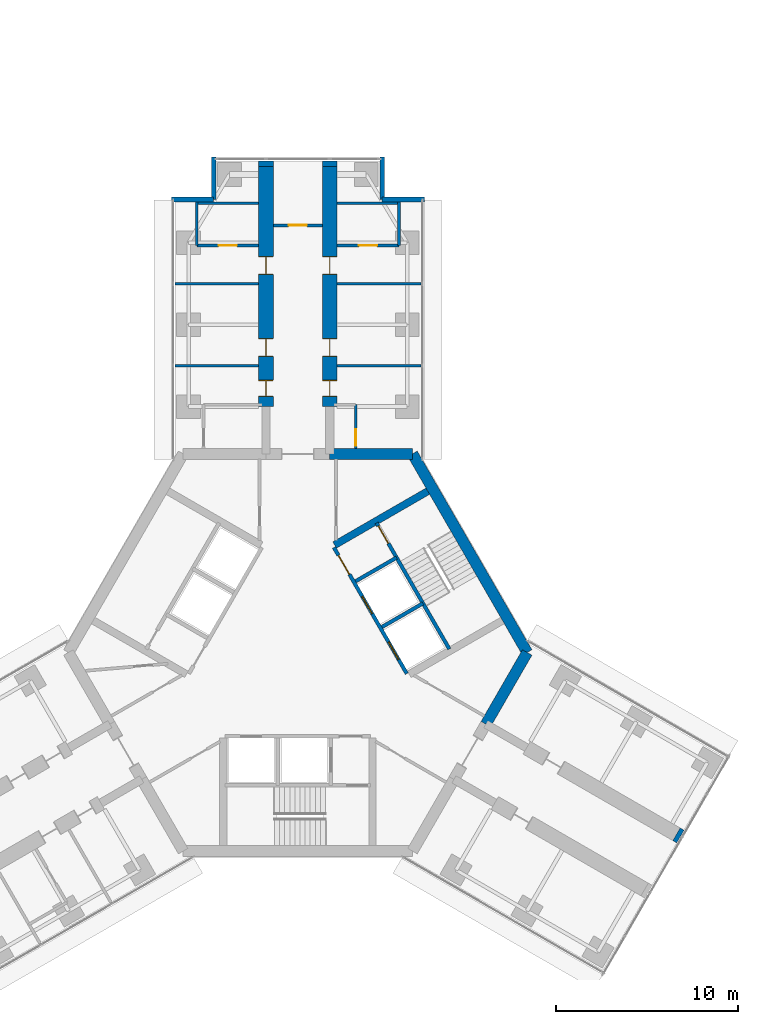
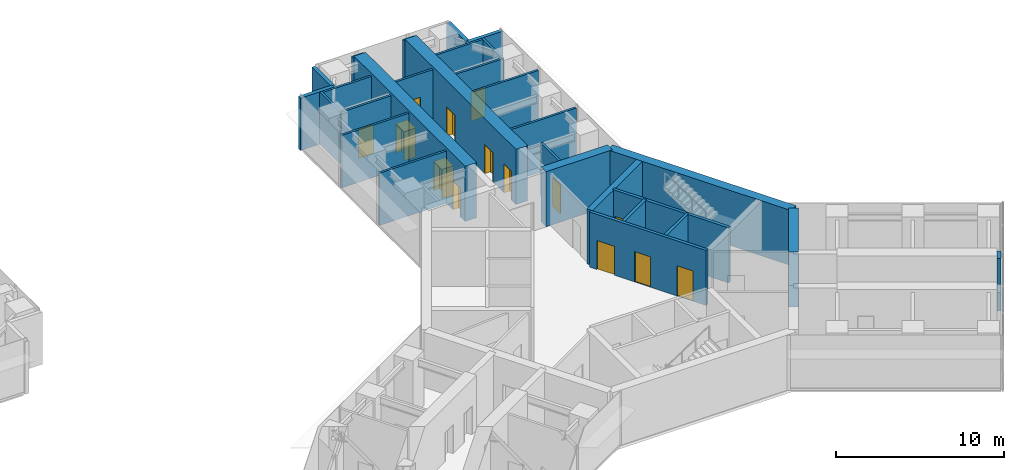
# One storey, part 20 of 22: 29 walls, 14 doors, 14 openings.
"""IFC4 building model written with IfcOpenShell, lengths in metres."""

from ifc_helpers import new_model, si_unit, direction, frame, frame_2d, origin, place, context, subcontext, project, spatial, rectangle, extrude, material, layer, layer_set, type_object, element, fill, save


model = new_model("IFC4")

# Units and contexts
model_context = context("Model", 3, precision=1e-05, world=origin(), true_north=direction((0.0, 1.0)))
body_context = subcontext(model_context, "Body", "Model", "MODEL_VIEW")
ifc_project = project(units=[si_unit("LENGTHUNIT", "METRE"), si_unit("AREAUNIT", "SQUARE_METRE"), si_unit("VOLUMEUNIT", "CUBIC_METRE"), si_unit("PLANEANGLEUNIT", "RADIAN"), si_unit("MASSUNIT", "GRAM", prefix="KILO")], contexts=[model_context])

# Site, building, storey
site_placement = place(None, origin())
site = spatial("IfcSite", under=ifc_project, at=site_placement, CompositionType="ELEMENT")
building_placement = place(site_placement, origin())
building = spatial("IfcBuilding", under=site, at=building_placement, Name="Upepo Twin Towers", CompositionType="ELEMENT")
storey_placement = place(building_placement, frame((0.0, 0.0, 137.5)))
storey = spatial("IfcBuildingStorey", under=building, at=storey_placement, Name="L33", CompositionType="ELEMENT", Elevation=137.5)

# Walls
ifc_material_1 = material(Name="Dense concrete blockwork", Category="masonry")
ifc_layer_1 = layer(ifc_material_1, 0.800048828125)
ifc_layer_set_1 = layer_set([ifc_layer_1], Name="Buttress closer 800, blockwork with fire-stopping to the curtain wall")
wall_type_1 = type_object("IfcWallType", Name="Buttress closer 800, blockwork with fire-stopping to the curtain wall", PredefinedType="PARTITIONING", material=ifc_layer_set_1)
for number, where, z_axis, x_axis, name in (
    (1, (56.75, 8.699951171875, 0.0), (0.0, 0.0, 1.0), (0.0, 1.0, 0.0), "T2 L33 wing A buttress closer L"),
    (2, (60.25, 8.699951171875, 0.0), (0.0, 0.0, 1.0), (0.0, 1.0, 0.0), "T2 L33 wing A buttress closer R"),
):
    element("IfcWall", number, at=place(storey_placement, frame(where, z_axis=z_axis, x_axis=x_axis)), inside=storey, type_object=wall_type_1, Name=name, PredefinedType="PARTITIONING", context=body_context, shape_type="SweptSolid", body=[
        extrude(rectangle(XDim=0.300048828125, YDim=0.800048828125, at=frame_2d((0.14990234375, 0.0))), origin(), (0.0, 0.0, 1.0), 3.800048828125),
    ])
wall_1_placement = place(storey_placement, frame((79.293701171875, -27.984375, 0.0), z_axis=(0.0, 0.0, 1.0), x_axis=(0.865827443207, -0.500342721131, 0.0)))
element("IfcWall", 3, at=wall_1_placement, inside=storey, type_object=wall_type_1, Name="T2 L33 wing C buttress closer L", PredefinedType="PARTITIONING", context=body_context, shape_type="SweptSolid", body=[
    extrude(rectangle(XDim=0.249755859375, YDim=0.800048828125, at=frame_2d((0.125, 0.0))), origin(), (0.0, 0.0, 1.0), 3.800048828125),
])

# Wall, openings, doors
ifc_material_2 = material(Name="Concrete C60/75", Category="concrete")
ifc_layer_2 = layer(ifc_material_2, 0.800048828125)
ifc_layer_set_2 = layer_set([ifc_layer_2], Name="Concrete C60/75")
wall_type_2 = type_object("IfcWallType", Name="Buttress wall 800 RC", PredefinedType="SHEAR", material=ifc_layer_set_2)
wall_2_placement = place(storey_placement, frame((56.75, -4.5, 0.0), z_axis=(0.0, 0.0, 1.0), x_axis=(0.0, 1.0, 0.0)))
wall_2 = element("IfcWall", 4, at=wall_2_placement, inside=storey, type_object=wall_type_2, Name="T2 wing A buttress wall L part 2", PredefinedType="SHEAR", context=body_context, shape_type="SweptSolid", body=[
    extrude(rectangle(XDim=13.199951171875, YDim=0.800048828125, at=frame_2d((6.60009765625, 0.0))), origin(), (0.0, 0.0, 1.0), 4.0),
])
opening_1_placement = place(wall_2_placement, frame((0.550048828125, 0.0, 0.0)))
opening_1 = element("IfcOpeningElement", 5, at=opening_1_placement, cuts=wall_2, Name="Opening D11", PredefinedType="OPENING", context=body_context, shape_type="SweptSolid", body=[
    extrude(rectangle(XDim=0.89990234375, YDim=2.10009765625, at=frame_2d((0.449951171875, 1.050048828125))), frame((0.0, 0.409912109375, 0.0), z_axis=(0.0, -1.0, 0.0), x_axis=(1.0, 0.0, 0.0)), (0.0, 0.0, 1.0), 0.820068359375),
])
opening_2_placement = place(wall_2_placement, frame((2.75, 0.0, 0.0)))
opening_2 = element("IfcOpeningElement", 6, at=opening_2_placement, cuts=wall_2, Name="Opening D1", PredefinedType="OPENING", context=body_context, shape_type="SweptSolid", body=[
    extrude(rectangle(XDim=1.0, YDim=2.10009765625, at=frame_2d((0.5, 1.050048828125))), frame((0.0, 0.409912109375, 0.0), z_axis=(0.0, -1.0, 0.0), x_axis=(1.0, 0.0, 0.0)), (0.0, 0.0, 1.0), 0.820068359375),
])
opening_3_placement = place(wall_2_placement, frame((7.25, 0.0, 0.0)))
opening_3 = element("IfcOpeningElement", 7, at=opening_3_placement, cuts=wall_2, Name="Opening D1", PredefinedType="OPENING", context=body_context, shape_type="SweptSolid", body=[
    extrude(rectangle(XDim=1.0, YDim=2.10009765625, at=frame_2d((0.5, 1.050048828125))), frame((0.0, 0.409912109375, 0.0), z_axis=(0.0, -1.0, 0.0), x_axis=(1.0, 0.0, 0.0)), (0.0, 0.0, 1.0), 0.820068359375),
])
ifc_material_3 = material(Name="Timber doorset", Category="wood")
door_type_1 = type_object("IfcDoorType", Name="Room door 1000 FD30", OperationType="SINGLE_SWING_LEFT", PredefinedType="DOOR", material=ifc_material_3)
door_1_placement = place(opening_2_placement, origin())
door_1 = element("IfcDoor", 8, at=door_1_placement, inside=storey, type_object=door_type_1, Name="T2 L33 tutorial room door", OperationType="SINGLE_SWING_LEFT", OverallHeight=2.10009765625, OverallWidth=1.0, PredefinedType="DOOR", context=body_context, shape_type="SweptSolid", body=[
    extrude(rectangle(XDim=0.92, YDim=2.06009765625, at=frame_2d((0.5, 1.030029296875))), frame((0.0, 0.02490234375, 0.0), z_axis=(0.0, -1.0, 0.0), x_axis=(1.0, 0.0, 0.0)), (0.0, 0.0, 1.0), 0.050048828125),
    extrude(rectangle(XDim=0.04, YDim=2.10009765625, at=frame_2d((0.02001953125, 1.050048828125))), frame((0.0, 0.39990234375, 0.0), z_axis=(0.0, -1.0, 0.0), x_axis=(1.0, 0.0, 0.0)), (0.0, 0.0, 1.0), 0.799560546875),
    extrude(rectangle(XDim=0.04, YDim=2.10009765625, at=frame_2d((0.97998046875, 1.050048828125))), frame((0.0, 0.39990234375, 0.0), z_axis=(0.0, -1.0, 0.0), x_axis=(1.0, 0.0, 0.0)), (0.0, 0.0, 1.0), 0.799560546875),
    extrude(rectangle(XDim=0.92, YDim=0.04, at=frame_2d((0.5, 2.080078125))), frame((0.0, 0.39990234375, 0.0), z_axis=(0.0, -1.0, 0.0), x_axis=(1.0, 0.0, 0.0)), (0.0, 0.0, 1.0), 0.799560546875),
])
fill(opening_2, door_1)
door_2_placement = place(opening_3_placement, origin())
door_2 = element("IfcDoor", 9, at=door_2_placement, inside=storey, type_object=door_type_1, Name="T2 L33 staff office door", OperationType="SINGLE_SWING_RIGHT", OverallHeight=2.10009765625, OverallWidth=1.0, PredefinedType="DOOR", context=body_context, shape_type="SweptSolid", body=[
    extrude(rectangle(XDim=0.92, YDim=2.06009765625, at=frame_2d((0.5, 1.030029296875))), frame((0.0, 0.02490234375, 0.0), z_axis=(0.0, -1.0, 0.0), x_axis=(1.0, 0.0, 0.0)), (0.0, 0.0, 1.0), 0.050048828125),
    extrude(rectangle(XDim=0.04, YDim=2.10009765625, at=frame_2d((0.02001953125, 1.050048828125))), frame((0.0, 0.39990234375, 0.0), z_axis=(0.0, -1.0, 0.0), x_axis=(1.0, 0.0, 0.0)), (0.0, 0.0, 1.0), 0.799560546875),
    extrude(rectangle(XDim=0.04, YDim=2.10009765625, at=frame_2d((0.97998046875, 1.050048828125))), frame((0.0, 0.39990234375, 0.0), z_axis=(0.0, -1.0, 0.0), x_axis=(1.0, 0.0, 0.0)), (0.0, 0.0, 1.0), 0.799560546875),
    extrude(rectangle(XDim=0.92, YDim=0.04, at=frame_2d((0.5, 2.080078125))), frame((0.0, 0.39990234375, 0.0), z_axis=(0.0, -1.0, 0.0), x_axis=(1.0, 0.0, 0.0)), (0.0, 0.0, 1.0), 0.799560546875),
])
fill(opening_3, door_2)
ifc_material_4 = material(Name="Timber doorset", Category="wood")
door_type_2 = type_object("IfcDoorType", Name="Toilet door 900", OperationType="SINGLE_SWING_LEFT", PredefinedType="DOOR", material=ifc_material_4)
door_3_placement = place(opening_1_placement, origin())
door_3 = element("IfcDoor", 10, at=door_3_placement, inside=storey, type_object=door_type_2, Name="T2 L33 accessible wc door", OperationType="SINGLE_SWING_LEFT", OverallHeight=2.10009765625, OverallWidth=0.89990234375, PredefinedType="DOOR", context=body_context, shape_type="SweptSolid", body=[
    extrude(rectangle(XDim=0.81990234375, YDim=2.06009765625, at=frame_2d((0.449951171875, 1.030029296875))), frame((0.0, 0.02490234375, 0.0), z_axis=(0.0, -1.0, 0.0), x_axis=(1.0, 0.0, 0.0)), (0.0, 0.0, 1.0), 0.050048828125),
    extrude(rectangle(XDim=0.04, YDim=2.10009765625, at=frame_2d((0.02001953125, 1.050048828125))), frame((0.0, 0.39990234375, 0.0), z_axis=(0.0, -1.0, 0.0), x_axis=(1.0, 0.0, 0.0)), (0.0, 0.0, 1.0), 0.799560546875),
    extrude(rectangle(XDim=0.04, YDim=2.10009765625, at=frame_2d((0.8798828125, 1.050048828125))), frame((0.0, 0.39990234375, 0.0), z_axis=(0.0, -1.0, 0.0), x_axis=(1.0, 0.0, 0.0)), (0.0, 0.0, 1.0), 0.799560546875),
    extrude(rectangle(XDim=0.81990234375, YDim=0.04, at=frame_2d((0.449951171875, 2.080078125))), frame((0.0, 0.39990234375, 0.0), z_axis=(0.0, -1.0, 0.0), x_axis=(1.0, 0.0, 0.0)), (0.0, 0.0, 1.0), 0.799560546875),
])
fill(opening_1, door_3)

wall_3_placement = place(storey_placement, frame((60.25, -4.5, 0.0), z_axis=(0.0, 0.0, 1.0), x_axis=(0.0, 1.0, 0.0)))
wall_3 = element("IfcWall", 11, at=wall_3_placement, inside=storey, type_object=wall_type_2, Name="T2 wing A buttress wall R part 2", PredefinedType="SHEAR", context=body_context, shape_type="SweptSolid", body=[
    extrude(rectangle(XDim=13.199951171875, YDim=0.800048828125, at=frame_2d((6.60009765625, 0.0))), origin(), (0.0, 0.0, 1.0), 4.0),
])
opening_4_placement = place(wall_3_placement, frame((0.550048828125, 0.0, 0.0)))
opening_4 = element("IfcOpeningElement", 12, at=opening_4_placement, cuts=wall_3, Name="Opening D11", PredefinedType="OPENING", context=body_context, shape_type="SweptSolid", body=[
    extrude(rectangle(XDim=0.89990234375, YDim=2.10009765625, at=frame_2d((0.449951171875, 1.050048828125))), frame((0.0, 0.409912109375, 0.0), z_axis=(0.0, -1.0, 0.0), x_axis=(1.0, 0.0, 0.0)), (0.0, 0.0, 1.0), 0.820068359375),
])
opening_5_placement = place(wall_3_placement, frame((2.75, 0.0, 0.0)))
opening_5 = element("IfcOpeningElement", 13, at=opening_5_placement, cuts=wall_3, Name="Opening D1", PredefinedType="OPENING", context=body_context, shape_type="SweptSolid", body=[
    extrude(rectangle(XDim=1.0, YDim=2.10009765625, at=frame_2d((0.5, 1.050048828125))), frame((0.0, 0.409912109375, 0.0), z_axis=(0.0, -1.0, 0.0), x_axis=(1.0, 0.0, 0.0)), (0.0, 0.0, 1.0), 0.820068359375),
])
opening_6_placement = place(wall_3_placement, frame((7.25, 0.0, 0.0)))
opening_6 = element("IfcOpeningElement", 14, at=opening_6_placement, cuts=wall_3, Name="Opening D1", PredefinedType="OPENING", context=body_context, shape_type="SweptSolid", body=[
    extrude(rectangle(XDim=1.0, YDim=2.10009765625, at=frame_2d((0.5, 1.050048828125))), frame((0.0, 0.409912109375, 0.0), z_axis=(0.0, -1.0, 0.0), x_axis=(1.0, 0.0, 0.0)), (0.0, 0.0, 1.0), 0.820068359375),
])
door_4_placement = place(opening_5_placement, origin())
door_4 = element("IfcDoor", 15, at=door_4_placement, inside=storey, type_object=door_type_1, Name="T2 L33 seminar room door", OperationType="SINGLE_SWING_LEFT", OverallHeight=2.10009765625, OverallWidth=1.0, PredefinedType="DOOR", context=body_context, shape_type="SweptSolid", body=[
    extrude(rectangle(XDim=0.92, YDim=2.06009765625, at=frame_2d((0.5, 1.030029296875))), frame((0.0, 0.02490234375, 0.0), z_axis=(0.0, -1.0, 0.0), x_axis=(1.0, 0.0, 0.0)), (0.0, 0.0, 1.0), 0.050048828125),
    extrude(rectangle(XDim=0.04, YDim=2.10009765625, at=frame_2d((0.02001953125, 1.050048828125))), frame((0.0, 0.39990234375, 0.0), z_axis=(0.0, -1.0, 0.0), x_axis=(1.0, 0.0, 0.0)), (0.0, 0.0, 1.0), 0.799560546875),
    extrude(rectangle(XDim=0.04, YDim=2.10009765625, at=frame_2d((0.97998046875, 1.050048828125))), frame((0.0, 0.39990234375, 0.0), z_axis=(0.0, -1.0, 0.0), x_axis=(1.0, 0.0, 0.0)), (0.0, 0.0, 1.0), 0.799560546875),
    extrude(rectangle(XDim=0.92, YDim=0.04, at=frame_2d((0.5, 2.080078125))), frame((0.0, 0.39990234375, 0.0), z_axis=(0.0, -1.0, 0.0), x_axis=(1.0, 0.0, 0.0)), (0.0, 0.0, 1.0), 0.799560546875),
])
fill(opening_5, door_4)
door_5_placement = place(opening_6_placement, origin())
door_5 = element("IfcDoor", 16, at=door_5_placement, inside=storey, type_object=door_type_1, Name="T2 L33 tutorial room door", OperationType="SINGLE_SWING_RIGHT", OverallHeight=2.10009765625, OverallWidth=1.0, PredefinedType="DOOR", context=body_context, shape_type="SweptSolid", body=[
    extrude(rectangle(XDim=0.92, YDim=2.06009765625, at=frame_2d((0.5, 1.030029296875))), frame((0.0, 0.02490234375, 0.0), z_axis=(0.0, -1.0, 0.0), x_axis=(1.0, 0.0, 0.0)), (0.0, 0.0, 1.0), 0.050048828125),
    extrude(rectangle(XDim=0.04, YDim=2.10009765625, at=frame_2d((0.02001953125, 1.050048828125))), frame((0.0, 0.39990234375, 0.0), z_axis=(0.0, -1.0, 0.0), x_axis=(1.0, 0.0, 0.0)), (0.0, 0.0, 1.0), 0.799560546875),
    extrude(rectangle(XDim=0.04, YDim=2.10009765625, at=frame_2d((0.97998046875, 1.050048828125))), frame((0.0, 0.39990234375, 0.0), z_axis=(0.0, -1.0, 0.0), x_axis=(1.0, 0.0, 0.0)), (0.0, 0.0, 1.0), 0.799560546875),
    extrude(rectangle(XDim=0.92, YDim=0.04, at=frame_2d((0.5, 2.080078125))), frame((0.0, 0.39990234375, 0.0), z_axis=(0.0, -1.0, 0.0), x_axis=(1.0, 0.0, 0.0)), (0.0, 0.0, 1.0), 0.799560546875),
])
fill(opening_6, door_5)
door_6_placement = place(opening_4_placement, origin())
door_6 = element("IfcDoor", 17, at=door_6_placement, inside=storey, type_object=door_type_2, Name="T2 L33 toilets door", OperationType="SINGLE_SWING_LEFT", OverallHeight=2.10009765625, OverallWidth=0.89990234375, PredefinedType="DOOR", context=body_context, shape_type="SweptSolid", body=[
    extrude(rectangle(XDim=0.81990234375, YDim=2.06009765625, at=frame_2d((0.449951171875, 1.030029296875))), frame((0.0, 0.02490234375, 0.0), z_axis=(0.0, -1.0, 0.0), x_axis=(1.0, 0.0, 0.0)), (0.0, 0.0, 1.0), 0.050048828125),
    extrude(rectangle(XDim=0.04, YDim=2.10009765625, at=frame_2d((0.02001953125, 1.050048828125))), frame((0.0, 0.39990234375, 0.0), z_axis=(0.0, -1.0, 0.0), x_axis=(1.0, 0.0, 0.0)), (0.0, 0.0, 1.0), 0.799560546875),
    extrude(rectangle(XDim=0.04, YDim=2.10009765625, at=frame_2d((0.8798828125, 1.050048828125))), frame((0.0, 0.39990234375, 0.0), z_axis=(0.0, -1.0, 0.0), x_axis=(1.0, 0.0, 0.0)), (0.0, 0.0, 1.0), 0.799560546875),
    extrude(rectangle(XDim=0.81990234375, YDim=0.04, at=frame_2d((0.449951171875, 2.080078125))), frame((0.0, 0.39990234375, 0.0), z_axis=(0.0, -1.0, 0.0), x_axis=(1.0, 0.0, 0.0)), (0.0, 0.0, 1.0), 0.799560546875),
])
fill(opening_4, door_6)

# Walls
ifc_material_5 = material(Name="Concrete C60/75", Category="concrete")
ifc_layer_3 = layer(ifc_material_5, 0.60009765625)
ifc_layer_set_3 = layer_set([ifc_layer_3], Name="Concrete C60/75")
wall_type_3 = type_object("IfcWallType", Name="Core wall 600 RC", PredefinedType="SHEAR", material=ifc_layer_set_3)
wall_4_placement = place(storey_placement, frame((64.7978515625, -7.091552734375, 0.0), z_axis=(0.0, 0.0, 1.0), x_axis=(-1.0, 0.0, 0.0)))
element("IfcWall", 18, at=wall_4_placement, inside=storey, type_object=wall_type_3, Name="T2 core wall 000 R", PredefinedType="SHEAR", context=body_context, shape_type="SweptSolid", body=[
    extrude(rectangle(XDim=4.5478515625, YDim=0.60009765625, at=frame_2d((2.27392578125, 0.0))), origin(), (0.0, 0.0, 1.0), 4.0),
])
wall_5_placement = place(storey_placement, frame((68.82177734375, -21.938720703125, 0.0), z_axis=(0.0, 0.0, 1.0), x_axis=(0.500024481964, 0.866011268655, 0.0)))
element("IfcWall", 19, at=wall_5_placement, inside=storey, type_object=wall_type_3, Name="T2 core wall 240 L", PredefinedType="SHEAR", context=body_context, shape_type="SweptSolid", body=[
    extrude(rectangle(XDim=4.548095703125, YDim=0.60009765625, at=frame_2d((2.27392578125, 0.0))), origin(), (0.0, 0.0, 1.0), 4.0),
])
wall_6_placement = place(storey_placement, frame((71.095947265625, -18.0, 0.0), z_axis=(0.0, 0.0, 1.0), x_axis=(-0.500005998175, 0.866021940709, 0.0)))
element("IfcWall", 20, at=wall_6_placement, inside=storey, type_object=wall_type_3, Name="T2 core wall 300", PredefinedType="SHEAR", context=body_context, shape_type="SweptSolid", body=[
    extrude(rectangle(XDim=12.595947265625, YDim=0.60009765625, at=frame_2d((6.2978515625, 0.0))), origin(), (0.0, 0.0, 1.0), 4.0),
])
ifc_material_6 = material(Name="Blockwork with anodised aluminium cladding", Category="masonry")
ifc_layer_4 = layer(ifc_material_6, 0.25)
ifc_layer_set_4 = layer_set([ifc_layer_4], Name="Notch cladding wall 250, pale metal")
wall_type_4 = type_object("IfcWallType", Name="Notch cladding wall 250, pale metal", PredefinedType="STANDARD", material=ifc_layer_set_4)
for number, where, z_axis, x_axis, name in (
    (21, (51.550048828125, 6.875, 0.0), (0.0, 0.0, 1.0), (1.0, 0.0, 0.0), "T2 L33 wing A notch wall L1"),
    (22, (53.875, 6.875, 0.0), (0.0, 0.0, 1.0), (0.0, 1.0, 0.0), "T2 L33 wing A notch wall L2"),
    (23, (65.449951171875, 6.875, 0.0), (0.0, 0.0, 1.0), (-1.0, 0.0, 0.0), "T2 L33 wing A notch wall R1"),
    (24, (63.125, 6.875, 0.0), (0.0, 0.0, 1.0), (0.0, 1.0, 0.0), "T2 L33 wing A notch wall R2"),
):
    element("IfcWall", number, at=place(storey_placement, frame(where, z_axis=z_axis, x_axis=x_axis)), inside=storey, type_object=wall_type_4, Name=name, PredefinedType="STANDARD", context=body_context, shape_type="SweptSolid", body=[
        extrude(rectangle(XDim=2.324951171875, YDim=0.25, at=frame_2d((1.16259765625, 0.0))), origin(), (0.0, 0.0, 1.0), 3.800048828125),
    ])

# Wall, openings, doors
ifc_material_7 = material(Name="Concrete C40/50", Category="concrete")
ifc_layer_5 = layer(ifc_material_7, 0.199951171875)
ifc_layer_set_5 = layer_set([ifc_layer_5], Name="Concrete C40/50")
wall_type_5 = type_object("IfcWallType", Name="Shaft wall 200 RC", PredefinedType="SHEAR", material=ifc_layer_set_5)
wall_7_placement = place(storey_placement, frame((64.483642578125, -19.1640625, 0.0), z_axis=(0.0, 0.0, 1.0), x_axis=(-0.49999894854, 0.866026010844, 0.0)))
wall_7 = element("IfcWall", 25, at=wall_7_placement, inside=storey, type_object=wall_type_5, Name="T2 core W300 front wall", PredefinedType="SHEAR", context=body_context, shape_type="SweptSolid", body=[
    extrude(rectangle(XDim=8.0, YDim=0.199951171875, at=frame_2d((4.0, 0.0))), origin(), (0.0, 0.0, 1.0), 4.0),
])
opening_7_placement = place(wall_7_placement, frame((6.300048828125, 0.0, 0.0)))
opening_7 = element("IfcOpeningElement", 26, at=opening_7_placement, cuts=wall_7, Name="Opening D4", PredefinedType="OPENING", context=body_context, shape_type="SweptSolid", body=[
    extrude(rectangle(XDim=1.199951171875, YDim=2.10009765625, at=frame_2d((0.60009765625, 1.050048828125))), frame((0.0, 0.10986328125, 0.0), z_axis=(0.0, -1.0, 0.0), x_axis=(1.0, 0.0, 0.0)), (0.0, 0.0, 1.0), 0.219970703125),
])
opening_8_placement = place(wall_7_placement, frame((0.89990234375, 0.0, 0.0)))
opening_8 = element("IfcOpeningElement", 27, at=opening_8_placement, cuts=wall_7, Name="Opening LD1", PredefinedType="OPENING", context=body_context, shape_type="SweptSolid", body=[
    extrude(rectangle(XDim=1.10009765625, YDim=2.199951171875, at=frame_2d((0.550048828125, 1.10009765625))), frame((0.0, 0.10986328125, 0.0), z_axis=(0.0, -1.0, 0.0), x_axis=(1.0, 0.0, 0.0)), (0.0, 0.0, 1.0), 0.219970703125),
])
opening_9_placement = place(wall_7_placement, frame((3.800048828125, 0.0, 0.0)))
opening_9 = element("IfcOpeningElement", 28, at=opening_9_placement, cuts=wall_7, Name="Opening LD1", PredefinedType="OPENING", context=body_context, shape_type="SweptSolid", body=[
    extrude(rectangle(XDim=1.10009765625, YDim=2.199951171875, at=frame_2d((0.550048828125, 1.10009765625))), frame((0.0, 0.10986328125, 0.0), z_axis=(0.0, -1.0, 0.0), x_axis=(1.0, 0.0, 0.0)), (0.0, 0.0, 1.0), 0.219970703125),
])
ifc_material_8 = material(Name="Steel doorset", Category="steel")
door_type_3 = type_object("IfcDoorType", Name="Lift landing door 1100", OperationType="DOUBLE_DOOR_SLIDING", PredefinedType="DOOR", material=ifc_material_8)
door_7_placement = place(opening_8_placement, origin())
door_7 = element("IfcDoor", 29, at=door_7_placement, inside=storey, type_object=door_type_3, Name="T2 L33 lift ML1 landing door", OperationType="DOUBLE_DOOR_SLIDING", OverallHeight=2.199951171875, OverallWidth=1.10009765625, PredefinedType="DOOR", context=body_context, shape_type="SweptSolid", body=[
    extrude(rectangle(XDim=1.10009765625, YDim=2.199951171875, at=frame_2d((0.550048828125, 1.10009765625))), frame((0.0, 0.02490234375, 0.0), z_axis=(0.0, -1.0, 0.0), x_axis=(1.0, 0.0, 0.0)), (0.0, 0.0, 1.0), 0.050048828125),
])
fill(opening_8, door_7)
door_8_placement = place(opening_9_placement, origin())
door_8 = element("IfcDoor", 30, at=door_8_placement, inside=storey, type_object=door_type_3, Name="T2 L33 lift ML2 landing door", OperationType="DOUBLE_DOOR_SLIDING", OverallHeight=2.199951171875, OverallWidth=1.10009765625, PredefinedType="DOOR", context=body_context, shape_type="SweptSolid", body=[
    extrude(rectangle(XDim=1.10009765625, YDim=2.199951171875, at=frame_2d((0.550048828125, 1.10009765625))), frame((0.0, 0.02490234375, 0.0), z_axis=(0.0, -1.0, 0.0), x_axis=(1.0, 0.0, 0.0)), (0.0, 0.0, 1.0), 0.050048828125),
])
fill(opening_9, door_8)
ifc_material_9 = material(Name="Timber doorset", Category="wood")
door_type_4 = type_object("IfcDoorType", Name="Lobby door 1200 FD60", OperationType="SINGLE_SWING_LEFT", PredefinedType="DOOR", material=ifc_material_9)
door_9_placement = place(opening_7_placement, origin())
door_9 = element("IfcDoor", 31, at=door_9_placement, inside=storey, type_object=door_type_4, Name="T2 L33 W300 lobby door", OperationType="SINGLE_SWING_RIGHT", OverallHeight=2.10009765625, OverallWidth=1.199951171875, PredefinedType="DOOR", context=body_context, shape_type="SweptSolid", body=[
    extrude(rectangle(XDim=1.199951171875, YDim=2.10009765625, at=frame_2d((0.60009765625, 1.050048828125))), frame((0.0, 0.02490234375, 0.0), z_axis=(0.0, -1.0, 0.0), x_axis=(1.0, 0.0, 0.0)), (0.0, 0.0, 1.0), 0.050048828125),
])
fill(opening_7, door_9)

# Walls
wall_8_placement = place(storey_placement, frame((63.120361328125, -16.6025390625, 0.0), z_axis=(0.0, 0.0, 1.0), x_axis=(0.866062058628, 0.499936506574, 0.0)))
element("IfcWall", 32, at=wall_8_placement, inside=storey, type_object=wall_type_5, Name="T2 core W300 shaft divider", PredefinedType="SHEAR", context=body_context, shape_type="SweptSolid", body=[
    extrude(rectangle(XDim=2.599853515625, YDim=0.199951171875, at=frame_2d((1.2998046875, 0.0))), origin(), (0.0, 0.0, 1.0), 4.0),
])
wall_9_placement = place(storey_placement, frame((61.67041015625, -14.091064453125, 0.0), z_axis=(0.0, 0.0, 1.0), x_axis=(0.86603858612, 0.49997716683, 0.0)))
element("IfcWall", 33, at=wall_9_placement, inside=storey, type_object=wall_type_5, Name="T2 core W300 lobby wall", PredefinedType="SHEAR", context=body_context, shape_type="SweptSolid", body=[
    extrude(rectangle(XDim=2.599609375, YDim=0.199951171875, at=frame_2d((1.2998046875, 0.0))), origin(), (0.0, 0.0, 1.0), 4.0),
])

# Wall, opening, door
wall_10_placement = place(storey_placement, frame((66.822021484375, -17.814208984375, 0.0), z_axis=(0.0, 0.0, 1.0), x_axis=(-0.49999894854, 0.866026010844, 0.0)))
wall_10 = element("IfcWall", 34, at=wall_10_placement, inside=storey, type_object=wall_type_5, Name="T2 core W300 stair wall", PredefinedType="SHEAR", context=body_context, shape_type="SweptSolid", body=[
    extrude(rectangle(XDim=8.0, YDim=0.199951171875, at=frame_2d((4.0, 0.0))), origin(), (0.0, 0.0, 1.0), 4.0),
])
opening_10_placement = place(wall_10_placement, frame((6.699951171875, 0.0, 0.0)))
opening_10 = element("IfcOpeningElement", 35, at=opening_10_placement, cuts=wall_10, Name="Opening D3", PredefinedType="OPENING", context=body_context, shape_type="SweptSolid", body=[
    extrude(rectangle(XDim=1.10009765625, YDim=2.10009765625, at=frame_2d((0.550048828125, 1.050048828125))), frame((0.0, 0.10986328125, 0.0), z_axis=(0.0, -1.0, 0.0), x_axis=(1.0, 0.0, 0.0)), (0.0, 0.0, 1.0), 0.219970703125),
])
ifc_material_10 = material(Name="Timber doorset", Category="wood")
door_type_5 = type_object("IfcDoorType", Name="Stair door 1100 FD60", OperationType="SINGLE_SWING_LEFT", PredefinedType="DOOR", material=ifc_material_10)
door_10_placement = place(opening_10_placement, origin())
door_10 = element("IfcDoor", 36, at=door_10_placement, inside=storey, type_object=door_type_5, Name="T2 L33 stair door", OperationType="SINGLE_SWING_RIGHT", OverallHeight=2.10009765625, OverallWidth=1.10009765625, PredefinedType="DOOR", context=body_context, shape_type="SweptSolid", body=[
    extrude(rectangle(XDim=1.10009765625, YDim=2.10009765625, at=frame_2d((0.550048828125, 1.050048828125))), frame((0.0, 0.02490234375, 0.0), z_axis=(0.0, -1.0, 0.0), x_axis=(1.0, 0.0, 0.0)), (0.0, 0.0, 1.0), 0.050048828125),
])
fill(opening_10, door_10)

# Walls
ifc_material_11 = material(Name="Concrete C40/50", Category="concrete")
ifc_layer_6 = layer(ifc_material_11, 0.39990234375)
ifc_layer_set_6 = layer_set([ifc_layer_6], Name="Concrete C40/50")
wall_type_6 = type_object("IfcWallType", Name="Shaft wall 400 RC", PredefinedType="SHEAR", material=ifc_layer_set_6)
wall_11_placement = place(storey_placement, frame((60.520263671875, -12.099365234375, 0.0), z_axis=(0.0, 0.0, 1.0), x_axis=(0.866009424208, 0.500027676417, 0.0)))
element("IfcWall", 37, at=wall_11_placement, inside=storey, type_object=wall_type_6, Name="T2 core W300 side wall N", PredefinedType="SHEAR", context=body_context, shape_type="SweptSolid", body=[
    extrude(rectangle(XDim=5.908447265625, YDim=0.39990234375, at=frame_2d((2.9541015625, 0.0))), origin(), (0.0, 0.0, 1.0), 4.0),
])
ifc_material_12 = material(Name="Gypsum board on steel studs", Category="steel")
ifc_layer_7 = layer(ifc_material_12, 0.14990234375)
ifc_layer_set_7 = layer_set([ifc_layer_7], Name="Teaching partition 150 acoustic")
wall_type_7 = type_object("IfcWallType", Name="Teaching partition 150 acoustic", PredefinedType="PARTITIONING", material=ifc_layer_set_7)
for number, where, z_axis, x_axis, name in (
    (38, (56.35009765625, -2.25, 0.0), (0.0, 0.0, 1.0), (-1.0, 0.0, 0.0), "T2 partition AL at 15.75"),
    (39, (56.35009765625, 2.25, 0.0), (0.0, 0.0, 1.0), (-1.0, 0.0, 0.0), "T2 partition AL at 20.25"),
):
    element("IfcWall", number, at=place(storey_placement, frame(where, z_axis=z_axis, x_axis=x_axis)), inside=storey, type_object=wall_type_7, Name=name, PredefinedType="PARTITIONING", context=body_context, shape_type="SweptSolid", body=[
        extrude(rectangle(XDim=4.60009765625, YDim=0.14990234375, at=frame_2d((2.300048828125, 0.0))), origin(), (0.0, 0.0, 1.0), 3.800048828125),
    ])
wall_12_placement = place(storey_placement, frame((52.949951171875, 4.35009765625, 0.0), z_axis=(0.0, 0.0, 1.0), x_axis=(0.0, 1.0, 0.0)))
element("IfcWall", 40, at=wall_12_placement, inside=storey, type_object=wall_type_7, Name="T2 inner room partition AL at 22.35", PredefinedType="PARTITIONING", context=body_context, shape_type="SweptSolid", body=[
    extrude(rectangle(XDim=2.39990234375, YDim=0.14990234375, at=frame_2d((1.199951171875, 0.0))), origin(), (0.0, 0.0, 1.0), 3.800048828125),
])

# Wall, opening, door
wall_13_placement = place(storey_placement, frame((56.35009765625, 4.35009765625, 0.0), z_axis=(0.0, 0.0, 1.0), x_axis=(-1.0, 0.0, 0.0)))
wall_13 = element("IfcWall", 41, at=wall_13_placement, inside=storey, type_object=wall_type_7, Name="T2 inner room partition AL end at 22.35", PredefinedType="PARTITIONING", context=body_context, shape_type="SweptSolid", body=[
    extrude(rectangle(XDim=3.400146484375, YDim=0.14990234375, at=frame_2d((1.7001953125, 0.0))), origin(), (0.0, 0.0, 1.0), 3.800048828125),
])
opening_11_placement = place(wall_13_placement, frame((1.199951171875, 0.0, 0.0)))
opening_11 = element("IfcOpeningElement", 42, at=opening_11_placement, cuts=wall_13, Name="Opening D1", PredefinedType="OPENING", context=body_context, shape_type="SweptSolid", body=[
    extrude(rectangle(XDim=1.0, YDim=2.10009765625, at=frame_2d((0.5, 1.050048828125))), frame((0.0, 0.0849609375, 0.0), z_axis=(0.0, -1.0, 0.0), x_axis=(1.0, 0.0, 0.0)), (0.0, 0.0, 1.0), 0.169921875),
])
door_11_placement = place(opening_11_placement, origin())
door_11 = element("IfcDoor", 43, at=door_11_placement, inside=storey, type_object=door_type_1, Name="T2 L33 inner room door", OperationType="SINGLE_SWING_LEFT", OverallHeight=2.10009765625, OverallWidth=1.0, PredefinedType="DOOR", context=body_context, shape_type="SweptSolid", body=[
    extrude(rectangle(XDim=1.0, YDim=2.10009765625, at=frame_2d((0.5, 1.050048828125))), frame((0.0, 0.02490234375, 0.0), z_axis=(0.0, -1.0, 0.0), x_axis=(1.0, 0.0, 0.0)), (0.0, 0.0, 1.0), 0.050048828125),
])
fill(opening_11, door_11)

# Walls
wall_14_placement = place(storey_placement, frame((56.35009765625, 6.675048828125, 0.0), z_axis=(0.0, 0.0, 1.0), x_axis=(-1.0, 0.0, 0.0)))
element("IfcWall", 44, at=wall_14_placement, inside=storey, type_object=wall_type_7, Name="T2 inner room partition AL end at 24.75", PredefinedType="PARTITIONING", context=body_context, shape_type="SweptSolid", body=[
    extrude(rectangle(XDim=3.400146484375, YDim=0.14990234375, at=frame_2d((1.7001953125, 0.0))), origin(), (0.0, 0.0, 1.0), 3.800048828125),
])
for number, where, z_axis, x_axis, name in (
    (45, (60.64990234375, -2.25, 0.0), (0.0, 0.0, 1.0), (1.0, 0.0, 0.0), "T2 partition AR at 15.75"),
    (46, (60.64990234375, 2.25, 0.0), (0.0, 0.0, 1.0), (1.0, 0.0, 0.0), "T2 partition AR at 20.25"),
):
    element("IfcWall", number, at=place(storey_placement, frame(where, z_axis=z_axis, x_axis=x_axis)), inside=storey, type_object=wall_type_7, Name=name, PredefinedType="PARTITIONING", context=body_context, shape_type="SweptSolid", body=[
        extrude(rectangle(XDim=4.60009765625, YDim=0.14990234375, at=frame_2d((2.300048828125, 0.0))), origin(), (0.0, 0.0, 1.0), 3.800048828125),
    ])
wall_15_placement = place(storey_placement, frame((64.050048828125, 4.35009765625, 0.0), z_axis=(0.0, 0.0, 1.0), x_axis=(0.0, 1.0, 0.0)))
element("IfcWall", 47, at=wall_15_placement, inside=storey, type_object=wall_type_7, Name="T2 inner room partition AR at 22.35", PredefinedType="PARTITIONING", context=body_context, shape_type="SweptSolid", body=[
    extrude(rectangle(XDim=2.39990234375, YDim=0.14990234375, at=frame_2d((1.199951171875, 0.0))), origin(), (0.0, 0.0, 1.0), 3.800048828125),
])

# Wall, opening, door
wall_16_placement = place(storey_placement, frame((60.64990234375, 4.35009765625, 0.0), z_axis=(0.0, 0.0, 1.0), x_axis=(1.0, 0.0, 0.0)))
wall_16 = element("IfcWall", 48, at=wall_16_placement, inside=storey, type_object=wall_type_7, Name="T2 inner room partition AR end at 22.35", PredefinedType="PARTITIONING", context=body_context, shape_type="SweptSolid", body=[
    extrude(rectangle(XDim=3.400146484375, YDim=0.14990234375, at=frame_2d((1.7001953125, 0.0))), origin(), (0.0, 0.0, 1.0), 3.800048828125),
])
opening_12_placement = place(wall_16_placement, frame((1.199951171875, 0.0, 0.0)))
opening_12 = element("IfcOpeningElement", 49, at=opening_12_placement, cuts=wall_16, Name="Opening D1", PredefinedType="OPENING", context=body_context, shape_type="SweptSolid", body=[
    extrude(rectangle(XDim=1.0, YDim=2.10009765625, at=frame_2d((0.5, 1.050048828125))), frame((0.0, 0.0849609375, 0.0), z_axis=(0.0, -1.0, 0.0), x_axis=(1.0, 0.0, 0.0)), (0.0, 0.0, 1.0), 0.169921875),
])
door_12_placement = place(opening_12_placement, origin())
door_12 = element("IfcDoor", 50, at=door_12_placement, inside=storey, type_object=door_type_1, Name="T2 L33 inner room door", OperationType="SINGLE_SWING_LEFT", OverallHeight=2.10009765625, OverallWidth=1.0, PredefinedType="DOOR", context=body_context, shape_type="SweptSolid", body=[
    extrude(rectangle(XDim=1.0, YDim=2.10009765625, at=frame_2d((0.5, 1.050048828125))), frame((0.0, 0.02490234375, 0.0), z_axis=(0.0, -1.0, 0.0), x_axis=(1.0, 0.0, 0.0)), (0.0, 0.0, 1.0), 0.050048828125),
])
fill(opening_12, door_12)

# Wall
wall_17_placement = place(storey_placement, frame((60.64990234375, 6.675048828125, 0.0), z_axis=(0.0, 0.0, 1.0), x_axis=(1.0, 0.0, 0.0)))
element("IfcWall", 51, at=wall_17_placement, inside=storey, type_object=wall_type_7, Name="T2 inner room partition AR end at 24.75", PredefinedType="PARTITIONING", context=body_context, shape_type="SweptSolid", body=[
    extrude(rectangle(XDim=3.400146484375, YDim=0.14990234375, at=frame_2d((1.7001953125, 0.0))), origin(), (0.0, 0.0, 1.0), 3.800048828125),
])

# Wall, opening, door
wall_18_placement = place(storey_placement, frame((61.675048828125, -6.7919921875, 0.0), z_axis=(0.0, 0.0, 1.0), x_axis=(0.0, 1.0, 0.0)))
wall_18 = element("IfcWall", 52, at=wall_18_placement, inside=storey, type_object=wall_type_7, Name="T2 WC bay partition AR at 11.21", PredefinedType="PARTITIONING", context=body_context, shape_type="SweptSolid", body=[
    extrude(rectangle(XDim=2.39990234375, YDim=0.14990234375, at=frame_2d((1.199951171875, 0.0))), origin(), (0.0, 0.0, 1.0), 3.800048828125),
])
opening_13_placement = place(wall_18_placement, frame((0.14990234375, 0.0, 0.0)))
opening_13 = element("IfcOpeningElement", 53, at=opening_13_placement, cuts=wall_18, Name="Opening D14", PredefinedType="OPENING", context=body_context, shape_type="SweptSolid", body=[
    extrude(rectangle(XDim=0.89990234375, YDim=2.10009765625, at=frame_2d((0.449951171875, 1.050048828125))), frame((0.0, 0.0849609375, 0.0), z_axis=(0.0, -1.0, 0.0), x_axis=(1.0, 0.0, 0.0)), (0.0, 0.0, 1.0), 0.169921875),
])
ifc_material_13 = material(Name="Timber doorset", Category="wood")
door_type_6 = type_object("IfcDoorType", Name="Office door 900 FD30", OperationType="SINGLE_SWING_LEFT", PredefinedType="DOOR", material=ifc_material_13)
door_13_placement = place(opening_13_placement, origin())
door_13 = element("IfcDoor", 54, at=door_13_placement, inside=storey, type_object=door_type_6, Name="T2 L33 WC bay inner room door", OperationType="SINGLE_SWING_LEFT", OverallHeight=2.10009765625, OverallWidth=0.89990234375, PredefinedType="DOOR", context=body_context, shape_type="SweptSolid", body=[
    extrude(rectangle(XDim=0.89990234375, YDim=2.10009765625, at=frame_2d((0.449951171875, 1.050048828125))), frame((0.0, 0.02490234375, 0.0), z_axis=(0.0, -1.0, 0.0), x_axis=(1.0, 0.0, 0.0)), (0.0, 0.0, 1.0), 0.050048828125),
])
fill(opening_13, door_13)

wall_19_placement = place(storey_placement, frame((59.85009765625, 5.449951171875, 0.0), z_axis=(0.0, 0.0, 1.0), x_axis=(-1.0, 0.0, 0.0)))
wall_19 = element("IfcWall", 55, at=wall_19_placement, inside=storey, type_object=wall_type_7, Name="T2 corridor end partition A at 23.45", PredefinedType="PARTITIONING", context=body_context, shape_type="SweptSolid", body=[
    extrude(rectangle(XDim=2.7001953125, YDim=0.14990234375, at=frame_2d((1.35009765625, 0.0))), origin(), (0.0, 0.0, 1.0), 3.800048828125),
])
opening_14_placement = place(wall_19_placement, frame((0.85009765625, 0.0, 0.0)))
opening_14 = element("IfcOpeningElement", 56, at=opening_14_placement, cuts=wall_19, Name="Opening D1", PredefinedType="OPENING", context=body_context, shape_type="SweptSolid", body=[
    extrude(rectangle(XDim=1.0, YDim=2.10009765625, at=frame_2d((0.5, 1.050048828125))), frame((0.0, 0.0849609375, 0.0), z_axis=(0.0, -1.0, 0.0), x_axis=(1.0, 0.0, 0.0)), (0.0, 0.0, 1.0), 0.169921875),
])
door_14_placement = place(opening_14_placement, origin())
door_14 = element("IfcDoor", 57, at=door_14_placement, inside=storey, type_object=door_type_1, Name="T2 L33 breakout study room door", OperationType="SINGLE_SWING_LEFT", OverallHeight=2.10009765625, OverallWidth=1.0, PredefinedType="DOOR", context=body_context, shape_type="SweptSolid", body=[
    extrude(rectangle(XDim=1.0, YDim=2.10009765625, at=frame_2d((0.5, 1.050048828125))), frame((0.0, 0.02490234375, 0.0), z_axis=(0.0, -1.0, 0.0), x_axis=(1.0, 0.0, 0.0)), (0.0, 0.0, 1.0), 0.050048828125),
])
fill(opening_14, door_14)

save(model, "model.ifc")
